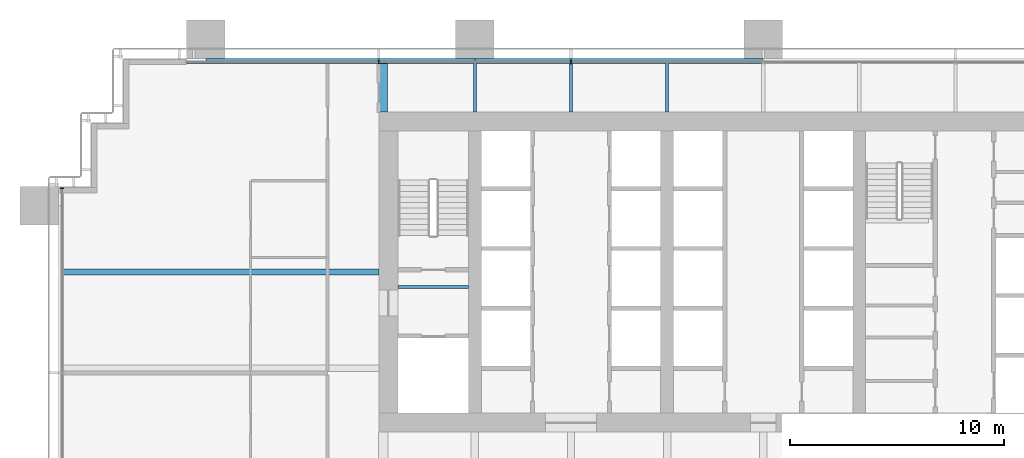
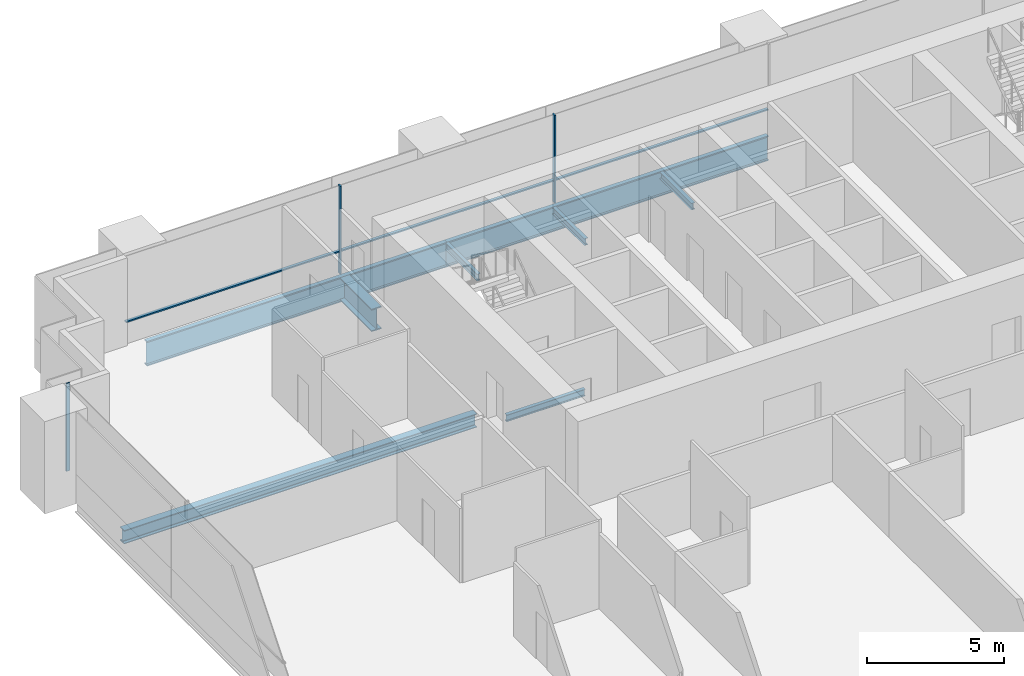
# One storey, part 7 of 19: 8 beams, 6 members, 2 elements without a shape of their own.
"""IFC4 building model written with IfcOpenShell, lengths in metres."""

from ifc_helpers import new_model, si_unit, direction, frame, origin, origin_2d, place, context, subcontext, project, spatial, rectangle, i_section, extrude, material, material_profile, profile_set, type_object, element, aggregate, save


model = new_model("IFC4")

# Units and contexts
model_context = context("Model", 3, precision=1e-05, world=origin(), true_north=direction((0.0, 1.0)))
body_context = subcontext(model_context, "Body", "Model", "MODEL_VIEW")
ifc_project = project(units=[si_unit("LENGTHUNIT", "METRE"), si_unit("AREAUNIT", "SQUARE_METRE"), si_unit("VOLUMEUNIT", "CUBIC_METRE"), si_unit("PLANEANGLEUNIT", "RADIAN"), si_unit("MASSUNIT", "GRAM", prefix="KILO")], contexts=[model_context])

# Site, building, storey
site_placement = place(None, origin())
site = spatial("IfcSite", under=ifc_project, at=site_placement, CompositionType="ELEMENT")
building_placement = place(site_placement, origin())
building = spatial("IfcBuilding", under=site, at=building_placement, Name="Rattan Terrace Tower", CompositionType="ELEMENT")
storey_placement = place(building_placement, frame((0.0, 0.0, 65.199951171875)))
storey = spatial("IfcBuildingStorey", under=building, at=storey_placement, Name="L14", CompositionType="ELEMENT", Elevation=65.199951171875)

# Curtain wall, members
ifc_material_1 = material(Name="Aluminium and glass", Category="aluminium")
curtain_wall_type = type_object("IfcCurtainWallType", Name="Facade Unitised Curtain Wall", PredefinedType="NOTDEFINED", material=ifc_material_1)
curtain_wall_1_placement = place(storey_placement, origin())
curtain_wall_1 = element("IfcCurtainWall", 1, at=curtain_wall_1_placement, inside=storey, type_object=curtain_wall_type, Name="Curtain wall L14-2", PredefinedType="NOTDEFINED")
ifc_material_2 = material(Name="Aluminium", Category="aluminium")
ifc_material_profile_1 = material_profile(ifc_material_2, rectangle(XDim=0.06005859375, YDim=0.159912109375, at=origin_2d()), Name="Aluminium 60x160")
ifc_profile_set_1 = profile_set([ifc_material_profile_1], Name="Aluminium")
member_type_1 = type_object("IfcMemberType", Name="Facade CW Mullion 60x160", PredefinedType="MULLION", material=ifc_profile_set_1)
member_1_placement = place(storey_placement, frame((-9.0, 9.830078125, 0.0), z_axis=(0.0, 0.0, 1.0), x_axis=(-1.0, 0.0, 0.0)))
member_1 = element("IfcMember", 2, at=member_1_placement, type_object=member_type_1, Name="Mullion cwl-L14-002.5", PredefinedType="MULLION", context=body_context, shape_type="SweptSolid", body=[
    extrude(rectangle(XDim=0.06005859375, YDim=0.159912109375, at=origin_2d()), origin(), (0.0, 0.0, 1.0), 3.900146484375),
])
member_2_placement = place(storey_placement, frame((-18.0, 9.830078125, 0.0), z_axis=(0.0, 0.0, 1.0), x_axis=(-1.0, 0.0, 0.0)))
member_2 = element("IfcMember", 3, at=member_2_placement, type_object=member_type_1, Name="Mullion cwl-L14-002.6", PredefinedType="MULLION", context=body_context, shape_type="SweptSolid", body=[
    extrude(rectangle(XDim=0.06005859375, YDim=0.159912109375, at=origin_2d()), origin(), (0.0, 0.0, 1.0), 3.900146484375),
])

# Curtain wall, member
curtain_wall_2_placement = place(storey_placement, origin())
curtain_wall_2 = element("IfcCurtainWall", 4, at=curtain_wall_2_placement, inside=storey, type_object=curtain_wall_type, Name="Curtain wall L14-3", PredefinedType="NOTDEFINED")
member_3_placement = place(storey_placement, frame((-32.830078125, 3.925048828125, 0.0), z_axis=(0.0, 0.0, 1.0), x_axis=(0.0, -1.0, 0.0)))
member_3 = element("IfcMember", 5, at=member_3_placement, type_object=member_type_1, Name="Mullion cwl-L14-003.1", PredefinedType="MULLION", context=body_context, shape_type="SweptSolid", body=[
    extrude(rectangle(XDim=0.06005859375, YDim=0.159912109375, at=origin_2d()), origin(), (0.0, 0.0, 1.0), 3.900146484375),
])
aggregate(curtain_wall_2, [member_3])

# Member
ifc_material_3 = material(Name="Aluminium", Category="aluminium")
ifc_material_profile_2 = material_profile(ifc_material_3, rectangle(XDim=0.1201171875, YDim=0.06005859375, at=origin_2d()), Name="Aluminium 120x60")
ifc_profile_set_2 = profile_set([ifc_material_profile_2], Name="Aluminium")
member_type_2 = type_object("IfcMemberType", Name="Facade CW Transom 120x60", PredefinedType="USERDEFINED", material=ifc_profile_set_2)
member_4_placement = place(storey_placement, frame((-0.030029296875, 9.830078125, 1.0), z_axis=(-1.0, 0.0, 0.0), x_axis=(0.0, -1.0, 0.0)))
member_4 = element("IfcMember", 6, at=member_4_placement, type_object=member_type_2, Name="Transom cwl-L14-002.4", ObjectType="TRANSOM", PredefinedType="USERDEFINED", context=body_context, shape_type="SweptSolid", body=[
    extrude(rectangle(XDim=0.1201171875, YDim=0.06005859375, at=origin_2d()), origin(), (0.0, 0.0, 1.0), 8.93994140625),
])

member_5_placement = place(storey_placement, frame((-9.030029296875, 9.830078125, 1.0), z_axis=(-1.0, 0.0, 0.0), x_axis=(0.0, -1.0, 0.0)))
member_5 = element("IfcMember", 7, at=member_5_placement, type_object=member_type_2, Name="Transom cwl-L14-002.5", ObjectType="TRANSOM", PredefinedType="USERDEFINED", context=body_context, shape_type="SweptSolid", body=[
    extrude(rectangle(XDim=0.1201171875, YDim=0.06005859375, at=origin_2d()), origin(), (0.0, 0.0, 1.0), 8.93994140625),
])

member_6_placement = place(storey_placement, frame((-18.030029296875, 9.830078125, 1.0), z_axis=(-1.0, 0.0, 0.0), x_axis=(0.0, -1.0, 0.0)))
member_6 = element("IfcMember", 8, at=member_6_placement, type_object=member_type_2, Name="Transom cwl-L14-002.6", ObjectType="TRANSOM", PredefinedType="USERDEFINED", context=body_context, shape_type="SweptSolid", body=[
    extrude(rectangle(XDim=0.1201171875, YDim=0.06005859375, at=origin_2d()), origin(), (0.0, 0.0, 1.0), 8.969970703125),
])

aggregate(curtain_wall_1, [member_1, member_2, member_4, member_5, member_6])

# Beams
ifc_material_4 = material(Name="Steel S460", Category="steel")
ifc_material_profile_3 = material_profile(ifc_material_4, i_section(OverallWidth=0.39990234375, OverallDepth=1.0, WebThickness=0.01806640625, FlangeThickness=0.044921875, at=origin_2d()), Name="PG 1000x400-18-45")
ifc_profile_set_3 = profile_set([ifc_material_profile_3], Name="Steel S460")
beam_type_1 = type_object("IfcBeamType", Name="Frame core girder PG 1000x400-18-45", PredefinedType="BEAM", material=ifc_profile_set_3)
beam_1_placement = place(storey_placement, frame((-17.800048828125, 7.5, -0.699951171875), z_axis=(0.0, 1.0, 0.0), x_axis=(-1.0, 0.0, 0.0)))
element("IfcBeam", 9, at=beam_1_placement, inside=storey, type_object=beam_type_1, Name="gdr-L14-015", PredefinedType="BEAM", context=body_context, shape_type="SweptSolid", body=[
    extrude(i_section(OverallWidth=0.39990234375, OverallDepth=1.0, WebThickness=0.01806640625, FlangeThickness=0.044921875, at=origin_2d()), origin(), (0.0, 0.0, 1.0), 2.320068359375),
])
ifc_material_5 = material(Name="Steel S460", Category="steel")
ifc_material_profile_4 = material_profile(ifc_material_5, i_section(OverallWidth=0.179931640625, OverallDepth=1.10009765625, WebThickness=0.01611328125, FlangeThickness=0.050048828125, at=origin_2d()), Name="PG 1100x180-16-50")
ifc_profile_set_4 = profile_set([ifc_material_profile_4], Name="Steel S460")
beam_type_2 = type_object("IfcBeamType", Name="Frame edge girder PG 1100x180-16-50", PredefinedType="SPANDREL", material=ifc_profile_set_4)
beam_2_placement = place(storey_placement, frame((-13.5, 9.909912109375, -0.75), z_axis=(-1.0, 0.0, 0.0), x_axis=(0.0, -1.0, 0.0)))
element("IfcBeam", 10, at=beam_2_placement, inside=storey, type_object=beam_type_2, Name="gdr-L14-009", PredefinedType="SPANDREL", context=body_context, shape_type="SweptSolid", body=[
    extrude(i_section(OverallWidth=0.179931640625, OverallDepth=1.10009765625, WebThickness=0.01611328125, FlangeThickness=0.050048828125, at=origin_2d()), origin(), (0.0, 0.0, 1.0), 12.60009765625),
])
beam_3_placement = place(storey_placement, frame((0.0, 9.909912109375, -0.75), z_axis=(-1.0, 0.0, 0.0), x_axis=(0.0, -1.0, 0.0)))
element("IfcBeam", 11, at=beam_3_placement, inside=storey, type_object=beam_type_2, Name="gdr-L14-010", PredefinedType="SPANDREL", context=body_context, shape_type="SweptSolid", body=[
    extrude(i_section(OverallWidth=0.179931640625, OverallDepth=1.10009765625, WebThickness=0.01611328125, FlangeThickness=0.050048828125, at=origin_2d()), origin(), (0.0, 0.0, 1.0), 13.5),
])
ifc_material_6 = material(Name="Steel S355", Category="steel")
ifc_material_profile_5 = material_profile(ifc_material_6, i_section(OverallWidth=0.300048828125, OverallDepth=0.60009765625, WebThickness=0.015380859375, FlangeThickness=0.030029296875, FilletRadius=0.027099609375, at=origin_2d()), Name="HE 600 B")
ifc_profile_set_5 = profile_set([ifc_material_profile_5], Name="Steel S355")
beam_type_3 = type_object("IfcBeamType", Name="Frame floor beam HE 600 B", PredefinedType="JOIST", material=ifc_profile_set_5)
beam_4_placement = place(storey_placement, frame((-32.820068359375, 0.0, -0.5), z_axis=(1.0, 0.0, 0.0), x_axis=(0.0, 1.0, 0.0)))
element("IfcBeam", 12, at=beam_4_placement, inside=storey, type_object=beam_type_3, Name="bm-L14-022", PredefinedType="JOIST", context=body_context, shape_type="SweptSolid", body=[
    extrude(i_section(OverallWidth=0.300048828125, OverallDepth=0.60009765625, WebThickness=0.015380859375, FlangeThickness=0.030029296875, FilletRadius=0.027099609375, at=origin_2d()), origin(), (0.0, 0.0, 1.0), 14.820068359375),
])
ifc_material_7 = material(Name="Steel S355", Category="steel")
ifc_material_profile_6 = material_profile(ifc_material_7, i_section(OverallWidth=0.14990234375, OverallDepth=0.300048828125, WebThickness=0.007080078125, FlangeThickness=0.0107421875, FilletRadius=0.014892578125, at=origin_2d()), Name="IPE 300")
ifc_profile_set_6 = profile_set([ifc_material_profile_6], Name="Steel S355")
beam_type_4 = type_object("IfcBeamType", Name="Frame floor beam IPE 300", PredefinedType="JOIST", material=ifc_profile_set_6)
beam_5_placement = place(storey_placement, frame((-17.10009765625, -0.695068359375, -0.349853515625), z_axis=(1.0, 0.0, 0.0), x_axis=(0.0, 1.0, 0.0)))
element("IfcBeam", 13, at=beam_5_placement, inside=storey, type_object=beam_type_4, Name="bm-L14-001", PredefinedType="JOIST", context=body_context, shape_type="SweptSolid", body=[
    extrude(i_section(OverallWidth=0.14990234375, OverallDepth=0.300048828125, WebThickness=0.007080078125, FlangeThickness=0.0107421875, FilletRadius=0.014892578125, at=origin_2d()), origin(), (0.0, 0.0, 1.0), 3.300048828125),
])
for number, where, z_axis, x_axis, name in (
    (14, (-13.5, 7.5, -0.349853515625), (0.0, 1.0, 0.0), (-1.0, 0.0, 0.0), "bm-L14-024"),
    (15, (-9.0, 7.5, -0.349853515625), (0.0, 1.0, 0.0), (-1.0, 0.0, 0.0), "bm-L14-025"),
    (16, (-4.5, 7.5, -0.349853515625), (0.0, 1.0, 0.0), (-1.0, 0.0, 0.0), "bm-L14-026"),
):
    element("IfcBeam", number, at=place(storey_placement, frame(where, z_axis=z_axis, x_axis=x_axis)), inside=storey, type_object=beam_type_4, Name=name, PredefinedType="JOIST", context=body_context, shape_type="SweptSolid", body=[
        extrude(i_section(OverallWidth=0.14990234375, OverallDepth=0.300048828125, WebThickness=0.007080078125, FlangeThickness=0.0107421875, FilletRadius=0.014892578125, at=origin_2d()), origin(), (0.0, 0.0, 1.0), 2.320068359375),
    ])

save(model, "model.ifc")
